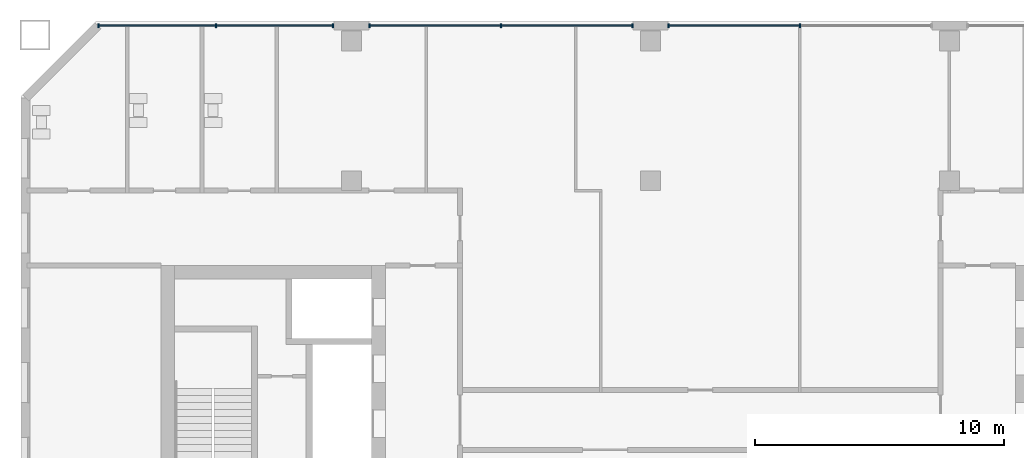
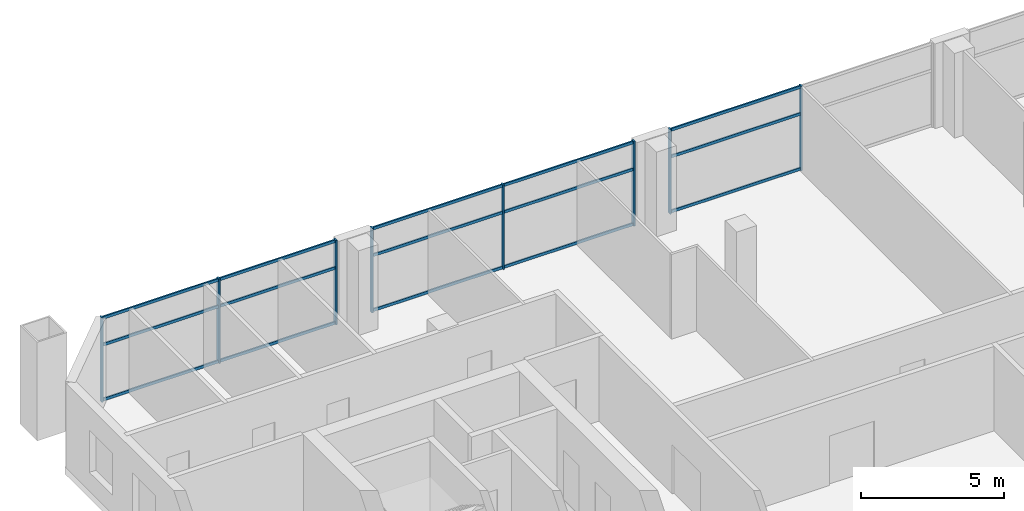
# One storey, part 3 of 17: 23 members, 3 elements without a shape of their own.
"""IFC4 building model written with IfcOpenShell, lengths in metres."""

from ifc_helpers import new_model, si_unit, direction, frame, origin, origin_2d, place, context, subcontext, project, spatial, rectangle, extrude, material, material_profile, profile_set, type_object, element, aggregate, save


model = new_model("IFC4")

# Units and contexts
model_context = context("Model", 3, precision=1e-05, world=origin(), true_north=direction((0.0, 1.0)))
body_context = subcontext(model_context, "Body", "Model", "MODEL_VIEW")
ifc_project = project(units=[si_unit("LENGTHUNIT", "METRE"), si_unit("AREAUNIT", "SQUARE_METRE"), si_unit("VOLUMEUNIT", "CUBIC_METRE"), si_unit("PLANEANGLEUNIT", "RADIAN"), si_unit("MASSUNIT", "GRAM", prefix="KILO")], contexts=[model_context])

# Site, building, storey
site_placement = place(None, origin())
site = spatial("IfcSite", under=ifc_project, at=site_placement, CompositionType="ELEMENT")
building_placement = place(site_placement, origin())
building = spatial("IfcBuilding", under=site, at=building_placement, Name="Tuart Gate Housing", CompositionType="ELEMENT")
storey_placement = place(building_placement, frame((0.0, 0.0, 119.5)))
storey = spatial("IfcBuildingStorey", under=building, at=storey_placement, Name="L33", CompositionType="ELEMENT", Elevation=119.5)

# Curtain wall, members
ifc_material_1 = material(Name="Aluminium and clear glass", Category="aluminium")
curtain_wall_type = type_object("IfcCurtainWallType", Name="Community floor glazing", PredefinedType="USERDEFINED", material=ifc_material_1)
curtain_wall_1_placement = place(storey_placement, origin())
curtain_wall_1 = element("IfcCurtainWall", 1, at=curtain_wall_1_placement, inside=storey, type_object=curtain_wall_type, Name="Community floor glazing A-N L33", ObjectType="COMMUNITY FLOOR GLAZING", PredefinedType="USERDEFINED")
ifc_material_2 = material(Name="Anodised aluminium", Category="aluminium")
ifc_material_profile_1 = material_profile(ifc_material_2, rectangle(XDim=0.06005859375, YDim=0.159912109375, at=origin_2d()), Name="60x160")
ifc_profile_set_1 = profile_set([ifc_material_profile_1], Name="Anodised aluminium")
member_type_1 = type_object("IfcMemberType", Name="Mullion 60 x 160", PredefinedType="MULLION", material=ifc_profile_set_1)
member_1_placement = place(storey_placement, frame((58.0, 85.820068359375, 0.0), z_axis=(0.0, 0.0, 1.0), x_axis=(-1.0, 0.0, 0.0)))
member_1 = element("IfcMember", 2, at=member_1_placement, type_object=member_type_1, Name="CW3 mullion 2", PredefinedType="MULLION", context=body_context, shape_type="SweptSolid", body=[
    extrude(rectangle(XDim=0.06005859375, YDim=0.159912109375, at=origin_2d()), origin(), (0.0, 0.0, 1.0), 3.60009765625),
])
member_2_placement = place(storey_placement, frame((52.72998046875, 85.820068359375, 0.0), z_axis=(0.0, 0.0, 1.0), x_axis=(-1.0, 0.0, 0.0)))
member_2 = element("IfcMember", 3, at=member_2_placement, type_object=member_type_1, Name="CW3 mullion 3", PredefinedType="MULLION", context=body_context, shape_type="SweptSolid", body=[
    extrude(rectangle(XDim=0.06005859375, YDim=0.159912109375, at=origin_2d()), origin(), (0.0, 0.0, 1.0), 3.60009765625),
])

curtain_wall_2_placement = place(storey_placement, origin())
curtain_wall_2 = element("IfcCurtainWall", 4, at=curtain_wall_2_placement, inside=storey, type_object=curtain_wall_type, Name="Community floor glazing A-N L33", ObjectType="COMMUNITY FLOOR GLAZING", PredefinedType="USERDEFINED")
member_3_placement = place(storey_placement, frame((51.27001953125, 85.820068359375, 0.0), z_axis=(0.0, 0.0, 1.0), x_axis=(-1.0, 0.0, 0.0)))
member_3 = element("IfcMember", 5, at=member_3_placement, type_object=member_type_1, Name="CW3 mullion 1", PredefinedType="MULLION", context=body_context, shape_type="SweptSolid", body=[
    extrude(rectangle(XDim=0.06005859375, YDim=0.159912109375, at=origin_2d()), origin(), (0.0, 0.0, 1.0), 3.60009765625),
])
member_4_placement = place(storey_placement, frame((46.0, 85.820068359375, 0.0), z_axis=(0.0, 0.0, 1.0), x_axis=(-1.0, 0.0, 0.0)))
member_4 = element("IfcMember", 6, at=member_4_placement, type_object=member_type_1, Name="CW3 mullion 2", PredefinedType="MULLION", context=body_context, shape_type="SweptSolid", body=[
    extrude(rectangle(XDim=0.06005859375, YDim=0.159912109375, at=origin_2d()), origin(), (0.0, 0.0, 1.0), 3.60009765625),
])
member_5_placement = place(storey_placement, frame((40.72998046875, 85.820068359375, 0.0), z_axis=(0.0, 0.0, 1.0), x_axis=(-1.0, 0.0, 0.0)))
member_5 = element("IfcMember", 7, at=member_5_placement, type_object=member_type_1, Name="CW3 mullion 3", PredefinedType="MULLION", context=body_context, shape_type="SweptSolid", body=[
    extrude(rectangle(XDim=0.06005859375, YDim=0.159912109375, at=origin_2d()), origin(), (0.0, 0.0, 1.0), 3.60009765625),
])

curtain_wall_3_placement = place(storey_placement, origin())
curtain_wall_3 = element("IfcCurtainWall", 8, at=curtain_wall_3_placement, inside=storey, type_object=curtain_wall_type, Name="Community floor glazing A-N L33", ObjectType="COMMUNITY FLOOR GLAZING", PredefinedType="USERDEFINED")
member_6_placement = place(storey_placement, frame((39.27001953125, 85.820068359375, 0.0), z_axis=(0.0, 0.0, 1.0), x_axis=(-1.0, 0.0, 0.0)))
member_6 = element("IfcMember", 9, at=member_6_placement, type_object=member_type_1, Name="CW3 mullion 1", PredefinedType="MULLION", context=body_context, shape_type="SweptSolid", body=[
    extrude(rectangle(XDim=0.06005859375, YDim=0.159912109375, at=origin_2d()), origin(), (0.0, 0.0, 1.0), 3.60009765625),
])
member_7_placement = place(storey_placement, frame((34.562255859375, 85.820068359375, 0.0), z_axis=(0.0, 0.0, 1.0), x_axis=(-1.0, 0.0, 0.0)))
member_7 = element("IfcMember", 10, at=member_7_placement, type_object=member_type_1, Name="CW3 mullion 2", PredefinedType="MULLION", context=body_context, shape_type="SweptSolid", body=[
    extrude(rectangle(XDim=0.06005859375, YDim=0.159912109375, at=origin_2d()), origin(), (0.0, 0.0, 1.0), 3.60009765625),
])
member_8_placement = place(storey_placement, frame((29.8544921875, 85.820068359375, 0.0), z_axis=(0.0, 0.0, 1.0), x_axis=(-1.0, 0.0, 0.0)))
member_8 = element("IfcMember", 11, at=member_8_placement, type_object=member_type_1, Name="CW3 mullion 3", PredefinedType="MULLION", context=body_context, shape_type="SweptSolid", body=[
    extrude(rectangle(XDim=0.06005859375, YDim=0.159912109375, at=origin_2d()), origin(), (0.0, 0.0, 1.0), 3.60009765625),
])

# Member
ifc_material_3 = material(Name="Anodised aluminium", Category="aluminium")
ifc_material_profile_2 = material_profile(ifc_material_3, rectangle(XDim=0.06005859375, YDim=0.1201171875, at=origin_2d()), Name="60x120")
ifc_profile_set_2 = profile_set([ifc_material_profile_2], Name="Anodised aluminium")
member_type_2 = type_object("IfcMemberType", Name="Transom 60 x 120", PredefinedType="USERDEFINED", material=ifc_profile_set_2)
member_9_placement = place(storey_placement, frame((57.969970703125, 85.820068359375, 0.06005859375), z_axis=(-1.0, 0.0, 0.0), x_axis=(0.0, -1.0, 0.0)))
member_9 = element("IfcMember", 12, at=member_9_placement, type_object=member_type_2, Name="CW3 transom 2.1", ObjectType="TRANSOM", PredefinedType="USERDEFINED", context=body_context, shape_type="SweptSolid", body=[
    extrude(rectangle(XDim=0.06005859375, YDim=0.1201171875, at=origin_2d()), origin(), (0.0, 0.0, 1.0), 5.2099609375),
])

member_10_placement = place(storey_placement, frame((57.969970703125, 85.820068359375, 2.39990234375), z_axis=(-1.0, 0.0, 0.0), x_axis=(0.0, -1.0, 0.0)))
member_10 = element("IfcMember", 13, at=member_10_placement, type_object=member_type_2, Name="CW3 transom 2.2", ObjectType="TRANSOM", PredefinedType="USERDEFINED", context=body_context, shape_type="SweptSolid", body=[
    extrude(rectangle(XDim=0.06005859375, YDim=0.1201171875, at=origin_2d()), origin(), (0.0, 0.0, 1.0), 5.2099609375),
])

member_11_placement = place(storey_placement, frame((57.969970703125, 85.820068359375, 3.5400390625), z_axis=(-1.0, 0.0, 0.0), x_axis=(0.0, -1.0, 0.0)))
member_11 = element("IfcMember", 14, at=member_11_placement, type_object=member_type_2, Name="CW3 transom 2.3", ObjectType="TRANSOM", PredefinedType="USERDEFINED", context=body_context, shape_type="SweptSolid", body=[
    extrude(rectangle(XDim=0.06005859375, YDim=0.1201171875, at=origin_2d()), origin(), (0.0, 0.0, 1.0), 5.2099609375),
])

aggregate(curtain_wall_1, [member_1, member_2, member_9, member_10, member_11])

member_12_placement = place(storey_placement, frame((51.239990234375, 85.820068359375, 0.06005859375), z_axis=(-1.0, 0.0, 0.0), x_axis=(0.0, -1.0, 0.0)))
member_12 = element("IfcMember", 15, at=member_12_placement, type_object=member_type_2, Name="CW3 transom 1.1", ObjectType="TRANSOM", PredefinedType="USERDEFINED", context=body_context, shape_type="SweptSolid", body=[
    extrude(rectangle(XDim=0.06005859375, YDim=0.1201171875, at=origin_2d()), origin(), (0.0, 0.0, 1.0), 5.2099609375),
])

member_13_placement = place(storey_placement, frame((51.239990234375, 85.820068359375, 2.39990234375), z_axis=(-1.0, 0.0, 0.0), x_axis=(0.0, -1.0, 0.0)))
member_13 = element("IfcMember", 16, at=member_13_placement, type_object=member_type_2, Name="CW3 transom 1.2", ObjectType="TRANSOM", PredefinedType="USERDEFINED", context=body_context, shape_type="SweptSolid", body=[
    extrude(rectangle(XDim=0.06005859375, YDim=0.1201171875, at=origin_2d()), origin(), (0.0, 0.0, 1.0), 5.2099609375),
])

member_14_placement = place(storey_placement, frame((51.239990234375, 85.820068359375, 3.5400390625), z_axis=(-1.0, 0.0, 0.0), x_axis=(0.0, -1.0, 0.0)))
member_14 = element("IfcMember", 17, at=member_14_placement, type_object=member_type_2, Name="CW3 transom 1.3", ObjectType="TRANSOM", PredefinedType="USERDEFINED", context=body_context, shape_type="SweptSolid", body=[
    extrude(rectangle(XDim=0.06005859375, YDim=0.1201171875, at=origin_2d()), origin(), (0.0, 0.0, 1.0), 5.2099609375),
])

member_15_placement = place(storey_placement, frame((45.969970703125, 85.820068359375, 0.06005859375), z_axis=(-1.0, 0.0, 0.0), x_axis=(0.0, -1.0, 0.0)))
member_15 = element("IfcMember", 18, at=member_15_placement, type_object=member_type_2, Name="CW3 transom 2.1", ObjectType="TRANSOM", PredefinedType="USERDEFINED", context=body_context, shape_type="SweptSolid", body=[
    extrude(rectangle(XDim=0.06005859375, YDim=0.1201171875, at=origin_2d()), origin(), (0.0, 0.0, 1.0), 5.2099609375),
])

member_16_placement = place(storey_placement, frame((45.969970703125, 85.820068359375, 2.39990234375), z_axis=(-1.0, 0.0, 0.0), x_axis=(0.0, -1.0, 0.0)))
member_16 = element("IfcMember", 19, at=member_16_placement, type_object=member_type_2, Name="CW3 transom 2.2", ObjectType="TRANSOM", PredefinedType="USERDEFINED", context=body_context, shape_type="SweptSolid", body=[
    extrude(rectangle(XDim=0.06005859375, YDim=0.1201171875, at=origin_2d()), origin(), (0.0, 0.0, 1.0), 5.2099609375),
])

member_17_placement = place(storey_placement, frame((45.969970703125, 85.820068359375, 3.5400390625), z_axis=(-1.0, 0.0, 0.0), x_axis=(0.0, -1.0, 0.0)))
member_17 = element("IfcMember", 20, at=member_17_placement, type_object=member_type_2, Name="CW3 transom 2.3", ObjectType="TRANSOM", PredefinedType="USERDEFINED", context=body_context, shape_type="SweptSolid", body=[
    extrude(rectangle(XDim=0.06005859375, YDim=0.1201171875, at=origin_2d()), origin(), (0.0, 0.0, 1.0), 5.2099609375),
])

aggregate(curtain_wall_2, [member_3, member_4, member_5, member_12, member_13, member_14, member_15, member_16, member_17])

member_18_placement = place(storey_placement, frame((39.239990234375, 85.820068359375, 0.06005859375), z_axis=(-1.0, 0.0, 0.0), x_axis=(0.0, -1.0, 0.0)))
member_18 = element("IfcMember", 21, at=member_18_placement, type_object=member_type_2, Name="CW3 transom 1.1", ObjectType="TRANSOM", PredefinedType="USERDEFINED", context=body_context, shape_type="SweptSolid", body=[
    extrude(rectangle(XDim=0.06005859375, YDim=0.1201171875, at=origin_2d()), origin(), (0.0, 0.0, 1.0), 4.647705078125),
])

member_19_placement = place(storey_placement, frame((39.239990234375, 85.820068359375, 2.39990234375), z_axis=(-1.0, 0.0, 0.0), x_axis=(0.0, -1.0, 0.0)))
member_19 = element("IfcMember", 22, at=member_19_placement, type_object=member_type_2, Name="CW3 transom 1.2", ObjectType="TRANSOM", PredefinedType="USERDEFINED", context=body_context, shape_type="SweptSolid", body=[
    extrude(rectangle(XDim=0.06005859375, YDim=0.1201171875, at=origin_2d()), origin(), (0.0, 0.0, 1.0), 4.647705078125),
])

member_20_placement = place(storey_placement, frame((39.239990234375, 85.820068359375, 3.5400390625), z_axis=(-1.0, 0.0, 0.0), x_axis=(0.0, -1.0, 0.0)))
member_20 = element("IfcMember", 23, at=member_20_placement, type_object=member_type_2, Name="CW3 transom 1.3", ObjectType="TRANSOM", PredefinedType="USERDEFINED", context=body_context, shape_type="SweptSolid", body=[
    extrude(rectangle(XDim=0.06005859375, YDim=0.1201171875, at=origin_2d()), origin(), (0.0, 0.0, 1.0), 4.647705078125),
])

member_21_placement = place(storey_placement, frame((34.5322265625, 85.820068359375, 0.06005859375), z_axis=(-1.0, 0.0, 0.0), x_axis=(0.0, -1.0, 0.0)))
member_21 = element("IfcMember", 24, at=member_21_placement, type_object=member_type_2, Name="CW3 transom 2.1", ObjectType="TRANSOM", PredefinedType="USERDEFINED", context=body_context, shape_type="SweptSolid", body=[
    extrude(rectangle(XDim=0.06005859375, YDim=0.1201171875, at=origin_2d()), origin(), (0.0, 0.0, 1.0), 4.647705078125),
])

member_22_placement = place(storey_placement, frame((34.5322265625, 85.820068359375, 2.39990234375), z_axis=(-1.0, 0.0, 0.0), x_axis=(0.0, -1.0, 0.0)))
member_22 = element("IfcMember", 25, at=member_22_placement, type_object=member_type_2, Name="CW3 transom 2.2", ObjectType="TRANSOM", PredefinedType="USERDEFINED", context=body_context, shape_type="SweptSolid", body=[
    extrude(rectangle(XDim=0.06005859375, YDim=0.1201171875, at=origin_2d()), origin(), (0.0, 0.0, 1.0), 4.647705078125),
])

member_23_placement = place(storey_placement, frame((34.5322265625, 85.820068359375, 3.5400390625), z_axis=(-1.0, 0.0, 0.0), x_axis=(0.0, -1.0, 0.0)))
member_23 = element("IfcMember", 26, at=member_23_placement, type_object=member_type_2, Name="CW3 transom 2.3", ObjectType="TRANSOM", PredefinedType="USERDEFINED", context=body_context, shape_type="SweptSolid", body=[
    extrude(rectangle(XDim=0.06005859375, YDim=0.1201171875, at=origin_2d()), origin(), (0.0, 0.0, 1.0), 4.647705078125),
])

aggregate(curtain_wall_3, [member_6, member_7, member_8, member_18, member_19, member_20, member_21, member_22, member_23])

save(model, "model.ifc")
